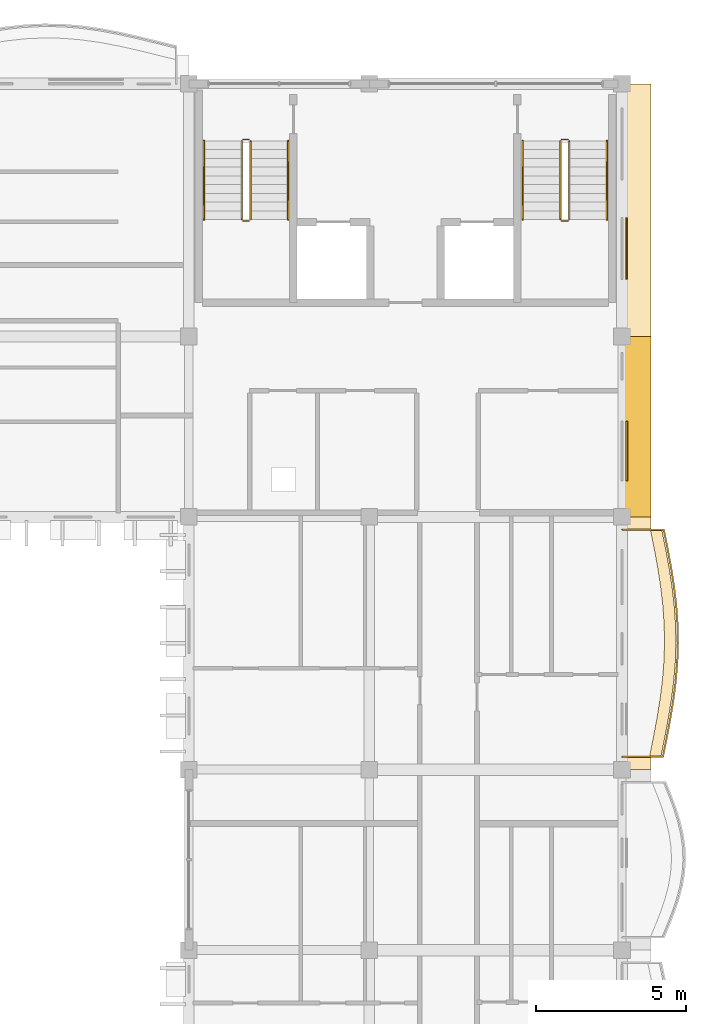
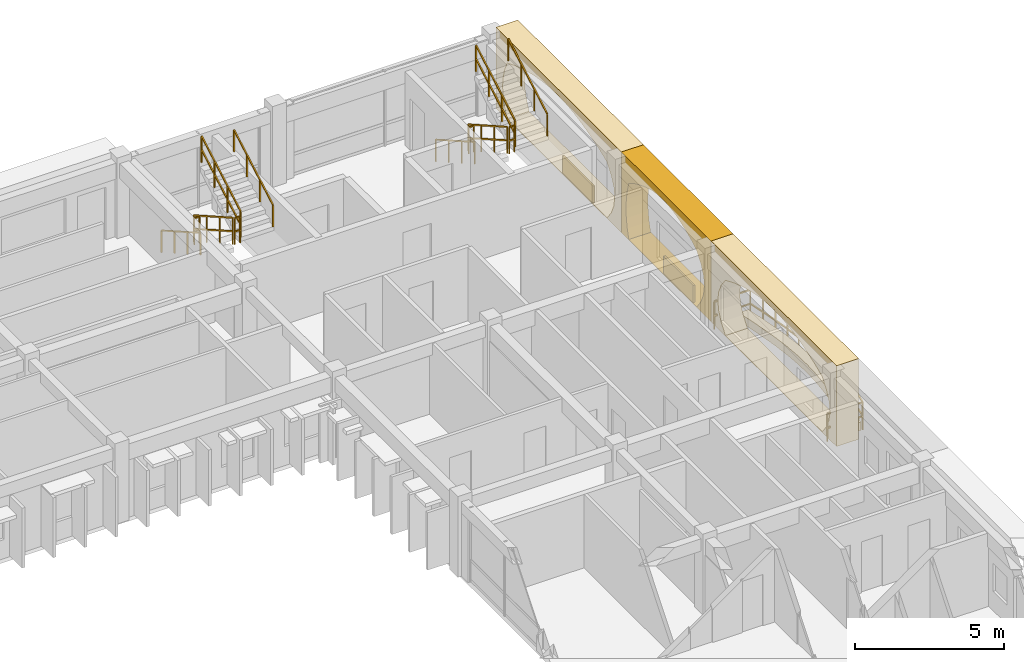
# One storey, part 54 of 54: 13 railings, 6 coverings.
"""IFC4 building model written with IfcOpenShell, lengths in metres."""

from ifc_helpers import new_model, si_unit, direction, frame, origin, origin_2d, place, context, subcontext, project, spatial, polyline, rectangle, outline, extrude, material, layer, layer_set, type_object, element, save


model = new_model("IFC4")

# Units and contexts
model_context = context("Model", 3, precision=1e-05, world=origin(), true_north=direction((0.0, 1.0)))
body_context = subcontext(model_context, "Body", "Model", "MODEL_VIEW")
ifc_project = project(units=[si_unit("LENGTHUNIT", "METRE"), si_unit("AREAUNIT", "SQUARE_METRE"), si_unit("VOLUMEUNIT", "CUBIC_METRE"), si_unit("PLANEANGLEUNIT", "RADIAN"), si_unit("MASSUNIT", "GRAM", prefix="KILO"), si_unit("THERMODYNAMICTEMPERATUREUNIT", "KELVIN")], contexts=[model_context])

# Site, building, storey
site_placement = place(None, origin())
site = spatial("IfcSite", under=ifc_project, at=site_placement, CompositionType="ELEMENT")
building_placement = place(site_placement, origin())
building = spatial("IfcBuilding", under=site, at=building_placement, Name="Thalorik Housing Commons", CompositionType="ELEMENT")
storey_placement = place(building_placement, frame((0.0, 0.0, 31.199951171875)))
storey = spatial("IfcBuildingStorey", under=building, at=storey_placement, Name="L09", CompositionType="ELEMENT", Elevation=31.199951171875)

# Coverings
ifc_material_1 = material(Name="Precast concrete C40/50", Category="concrete")
ifc_layer_1 = layer(ifc_material_1, 0.85009765625, Name="Precast concrete C40/50", Category="concrete")
ifc_layer_set_1 = layer_set([ifc_layer_1], Name="Precast concrete C40/50")
covering_type_1 = type_object("IfcCoveringType", Name="ARC-CLD-CUSH-850", PredefinedType="CLADDING", material=ifc_layer_set_1)
covering_1_placement = place(storey_placement, frame((167.342529296875, 112.199951171875, 0.0), z_axis=(0.0, 0.0, 1.0), x_axis=(0.0, 1.0, 0.0)))
element("IfcCovering", 1, at=covering_1_placement, inside=storey, type_object=covering_type_1, Name="L09 White Precast Curved Cushion Bay Frame 2888", PredefinedType="CLADDING", context=body_context, shape_type="SweptSolid", body=[
    extrude(outline(polyline([(-3.0, 0.0), (3.0, 0.0), (3.0, 3.300048828125), (-3.0, 3.300048828125), (-3.0, 0.0)]), holes=[polyline([(2.5048828125, 0.02490234375), (2.609619140625, 0.407470703125), (2.672119140625, 0.7900390625), (2.693115234375, 1.172607421875), (2.672119140625, 1.554931640625), (2.609619140625, 1.9375), (2.5048828125, 2.320068359375), (2.126220703125, 2.539306640625), (1.74755859375, 2.711181640625), (1.36865234375, 2.8505859375), (0.989990234375, 2.954345703125), (0.611083984375, 3.018310546875), (0.232421875, 3.0400390625), (-0.146240234375, 3.018310546875), (-0.52490234375, 2.954345703125), (-0.90380859375, 2.8505859375), (-1.282470703125, 2.711181640625), (-1.6611328125, 2.539306640625), (-2.0400390625, 2.320068359375), (-2.3232421875, 1.9375), (-2.493408203125, 1.554931640625), (-2.550048828125, 1.172607421875), (-2.493408203125, 0.7900390625), (-2.3232421875, 0.407470703125), (-2.0400390625, 0.02490234375), (2.5048828125, 0.02490234375)])]), frame((0.0, 0.425048828125, 0.0), z_axis=(0.0, -1.0, 0.0), x_axis=(1.0, 0.0, 0.0)), (0.0, 0.0, 1.0), 0.85009765625),
])
covering_2_placement = place(storey_placement, frame((167.342529296875, 119.39990234375, 0.0), z_axis=(0.0, 0.0, 1.0), x_axis=(0.0, 1.0, 0.0)))
element("IfcCovering", 2, at=covering_2_placement, inside=storey, type_object=covering_type_1, Name="L09 White Precast Curved Cushion Bay Frame 2890", PredefinedType="CLADDING", context=body_context, shape_type="SweptSolid", body=[
    extrude(outline(polyline([(-4.199951171875, 0.0), (4.199951171875, 0.0), (4.199951171875, 3.300048828125), (-4.199951171875, 3.300048828125), (-4.199951171875, 0.0)]), holes=[polyline([(3.44384765625, 0.02490234375), (3.614013671875, 0.404296875), (3.716064453125, 0.783203125), (3.75, 1.16259765625), (3.716064453125, 1.541748046875), (3.614013671875, 1.9208984375), (3.44384765625, 2.300048828125), (2.88671875, 2.525390625), (2.329833984375, 2.7021484375), (1.772705078125, 2.845458984375), (1.2158203125, 2.951904296875), (0.658935546875, 3.017822265625), (0.101806640625, 3.0400390625), (-0.455078125, 3.017822265625), (-1.01220703125, 2.951904296875), (-1.569091796875, 2.845458984375), (-2.1259765625, 2.7021484375), (-2.68310546875, 2.525390625), (-3.239990234375, 2.300048828125), (-3.523193359375, 1.9208984375), (-3.693359375, 1.541748046875), (-3.75, 1.16259765625), (-3.693359375, 0.783203125), (-3.523193359375, 0.404296875), (-3.239990234375, 0.02490234375), (3.44384765625, 0.02490234375)])]), frame((0.0, 0.425048828125, 0.0), z_axis=(0.0, -1.0, 0.0), x_axis=(1.0, 0.0, 0.0)), (0.0, 0.0, 1.0), 0.85009765625),
])
covering_3_placement = place(storey_placement, frame((167.342529296875, 105.0, 0.0), z_axis=(0.0, 0.0, 1.0), x_axis=(0.0, 1.0, 0.0)))
element("IfcCovering", 3, at=covering_3_placement, inside=storey, type_object=covering_type_1, Name="L09 White Precast Curved Cushion Bay Frame 3036", PredefinedType="CLADDING", context=body_context, shape_type="SweptSolid", body=[
    extrude(outline(polyline([(-4.199951171875, 0.0), (4.199951171875, 0.0), (4.199951171875, 3.300048828125), (-4.199951171875, 3.300048828125), (-4.199951171875, 0.0)]), holes=[polyline([(3.239990234375, 0.02490234375), (3.523193359375, 0.40087890625), (3.693359375, 0.776611328125), (3.75, 1.152587890625), (3.693359375, 1.5283203125), (3.523193359375, 1.904296875), (3.239990234375, 2.280029296875), (2.699951171875, 2.51123046875), (2.159912109375, 2.693115234375), (1.6201171875, 2.840087890625), (1.080078125, 2.94970703125), (0.5400390625, 3.01708984375), (0.0, 3.0400390625), (-0.5400390625, 3.01708984375), (-1.080078125, 2.94970703125), (-1.6201171875, 2.840087890625), (-2.159912109375, 2.693115234375), (-2.699951171875, 2.51123046875), (-3.239990234375, 2.280029296875), (-3.523193359375, 1.904296875), (-3.693359375, 1.5283203125), (-3.75, 1.152587890625), (-3.693359375, 0.776611328125), (-3.523193359375, 0.40087890625), (-3.239990234375, 0.02490234375), (3.239990234375, 0.02490234375)])]), frame((0.0, 0.425048828125, 0.0), z_axis=(0.0, -1.0, 0.0), x_axis=(1.0, 0.0, 0.0)), (0.0, 0.0, 1.0), 0.85009765625),
])
ifc_material_2 = material(Name="Terracotta red mineral fibre-cement panel", Category="masonry")
ifc_layer_2 = layer(ifc_material_2, 0.054931640625, Name="Terracotta red mineral fibre-cement panel", Category="masonry")
ifc_layer_set_2 = layer_set([ifc_layer_2], Name="Terracotta red mineral fibre-cement panel")
covering_type_2 = type_object("IfcCoveringType", Name="ARC-CLD-RED-55", PredefinedType="CLADDING", material=ifc_layer_set_2)
covering_4_placement = place(storey_placement, frame((166.949951171875, 118.13134765625, 0.05029296875), z_axis=(0.0, 0.0, 1.0), x_axis=(0.0, 1.0, 0.0)))
element("IfcCovering", 4, at=covering_4_placement, inside=storey, type_object=covering_type_2, Name="L09 De Stijl Recessed Window Spandrel 2891", PredefinedType="CLADDING", context=body_context, shape_type="SweptSolid", body=[
    extrude(rectangle(XDim=2.0400390625, YDim=0.054931640625, at=origin_2d()), origin(), (0.0, 0.0, 1.0), 0.699951171875),
])
ifc_material_3 = material(Name="Mineral ochre architectural terracotta panel", Category="masonry")
ifc_layer_3 = layer(ifc_material_3, 0.06494140625, Name="Mineral ochre architectural terracotta panel", Category="masonry")
ifc_layer_set_3 = layer_set([ifc_layer_3], Name="Mineral ochre architectural terracotta panel")
covering_type_3 = type_object("IfcCoveringType", Name="ARC-CLD-YEL-65", PredefinedType="CLADDING", material=ifc_layer_set_3)
covering_5_placement = place(storey_placement, frame((166.955078125, 111.39501953125, 0.05029296875), z_axis=(0.0, 0.0, 1.0), x_axis=(0.0, 1.0, 0.0)))
element("IfcCovering", 5, at=covering_5_placement, inside=storey, type_object=covering_type_3, Name="L09 De Stijl Recessed Window Spandrel 2889", PredefinedType="CLADDING", context=body_context, shape_type="SweptSolid", body=[
    extrude(rectangle(XDim=1.97998046875, YDim=0.06494140625, at=origin_2d()), origin(), (0.0, 0.0, 1.0), 0.699951171875),
])
ifc_material_4 = material(Name="Planted vegetated substrate and terracotta trough", Category="masonry")
ifc_layer_4 = layer(ifc_material_4, 0.340087890625, Name="Planted vegetated substrate and terracotta trough", Category="masonry")
ifc_layer_set_4 = layer_set([ifc_layer_4], Name="Planted vegetated substrate and terracotta trough")
covering_type_4 = type_object("IfcCoveringType", Name="ARC-COV-PLANTER", PredefinedType="USERDEFINED", material=ifc_layer_set_4)
covering_6_placement = place(storey_placement, origin())
element("IfcCovering", 6, at=covering_6_placement, inside=storey, type_object=covering_type_4, Name="L09 Balcony Slab-Edge Planted Trough 5539", ObjectType="PLANTER", PredefinedType="USERDEFINED", context=body_context, shape_type="SweptSolid", body=[
    extrude(outline(polyline([(168.0927734375, 101.219970703125), (168.218994140625, 101.85009765625), (168.337646484375, 102.47998046875), (168.440185546875, 103.110107421875), (168.520263671875, 103.739990234375), (168.572509765625, 104.3701171875), (168.593017578125, 105.0), (168.580810546875, 105.6298828125), (168.53662109375, 106.260009765625), (168.463134765625, 106.889892578125), (168.365234375, 107.52001953125), (168.24951171875, 108.14990234375), (168.123779296875, 108.780029296875), (167.74365234375, 108.780029296875), (167.86962890625, 108.14990234375), (167.9853515625, 107.52001953125), (168.0830078125, 106.889892578125), (168.156494140625, 106.260009765625), (168.20068359375, 105.6298828125), (168.212890625, 105.0), (168.1923828125, 104.3701171875), (168.140380859375, 103.739990234375), (168.060302734375, 103.110107421875), (167.95751953125, 102.47998046875), (167.839111328125, 101.85009765625), (167.712890625, 101.219970703125), (168.0927734375, 101.219970703125)])), origin(), (0.0, 0.0, 1.0), 0.340087890625),
])

# Railings
ifc_material_5 = material(Name="Steel S355", Category="steel")
railing_type_1 = type_object("IfcRailingType", Name="ARC-RL-BAL-115", PredefinedType="BALUSTRADE", material=ifc_material_5)
railing_1_placement = place(storey_placement, frame((166.800048828125, 101.219970703125, 0.0)))
element("IfcRailing", 7, at=railing_1_placement, inside=storey, type_object=railing_type_1, Name="L09 Cushion Balcony Guardrail 223", PredefinedType="BALUSTRADE", context=body_context, shape_type="SweptSolid", body=[
    extrude(rectangle(XDim=0.050048828125, YDim=0.050048828125, at=origin_2d()), frame((0.0, 0.0, 1.125), z_axis=(1.0, 0.0, 0.0), x_axis=(0.0, 1.0, 0.0)), (0.0, 0.0, 1.0), 1.36279296875),
    extrude(rectangle(XDim=0.050048828125, YDim=0.050048828125, at=origin_2d()), frame((0.0, 0.0, 0.5498046875), z_axis=(1.0, 0.0, 0.0), x_axis=(0.0, 1.0, 0.0)), (0.0, 0.0, 1.0), 1.36279296875),
    extrude(rectangle(XDim=0.050048828125, YDim=0.050048828125, at=origin_2d()), frame((1.36279296875, 0.0, 1.125), z_axis=(0.196408357284, 0.980522185975, 0.0), x_axis=(-0.980522185975, 0.196408357284, 0.0)), (0.0, 0.0, 1.0), 0.642578125),
    extrude(rectangle(XDim=0.050048828125, YDim=0.050048828125, at=origin_2d()), frame((1.36279296875, 0.0, 0.5498046875), z_axis=(0.196408357284, 0.980522185975, 0.0), x_axis=(-0.980522185975, 0.196408357284, 0.0)), (0.0, 0.0, 1.0), 0.642578125),
    extrude(rectangle(XDim=0.050048828125, YDim=0.050048828125, at=origin_2d()), frame((1.489013671875, 0.630126953125, 1.125), z_axis=(0.185116383615, 0.982716604376, 0.0), x_axis=(-0.982716604376, 0.185116383615, 0.0)), (0.0, 0.0, 1.0), 0.640869140625),
    extrude(rectangle(XDim=0.050048828125, YDim=0.050048828125, at=origin_2d()), frame((1.489013671875, 0.630126953125, 0.5498046875), z_axis=(0.185116383615, 0.982716604376, 0.0), x_axis=(-0.982716604376, 0.185116383615, 0.0)), (0.0, 0.0, 1.0), 0.640869140625),
    extrude(rectangle(XDim=0.050048828125, YDim=0.050048828125, at=origin_2d()), frame((1.607666015625, 1.260009765625, 1.125), z_axis=(0.160614955106, 0.987017140781, 0.0), x_axis=(-0.987017140781, 0.160614955106, 0.0)), (0.0, 0.0, 1.0), 0.638427734375),
    extrude(rectangle(XDim=0.050048828125, YDim=0.050048828125, at=origin_2d()), frame((1.607666015625, 1.260009765625, 0.5498046875), z_axis=(0.160614955106, 0.987017140781, 0.0), x_axis=(-0.987017140781, 0.160614955106, 0.0)), (0.0, 0.0, 1.0), 0.638427734375),
    extrude(rectangle(XDim=0.050048828125, YDim=0.050048828125, at=origin_2d()), frame((1.710205078125, 1.89013671875, 1.125), z_axis=(0.126116688249, 0.992015413663, 0.0), x_axis=(-0.992015413663, 0.126116688249, 0.0)), (0.0, 0.0, 1.0), 0.635009765625),
    extrude(rectangle(XDim=0.050048828125, YDim=0.050048828125, at=origin_2d()), frame((1.710205078125, 1.89013671875, 0.5498046875), z_axis=(0.126116688249, 0.992015413663, 0.0), x_axis=(-0.992015413663, 0.126116688249, 0.0)), (0.0, 0.0, 1.0), 0.635009765625),
    extrude(rectangle(XDim=0.050048828125, YDim=0.050048828125, at=origin_2d()), frame((1.790283203125, 2.52001953125, 1.125), z_axis=(0.08224655511, 0.996612012858, 0.0), x_axis=(-0.996612012858, 0.08224655511, 0.0)), (0.0, 0.0, 1.0), 0.63232421875),
    extrude(rectangle(XDim=0.050048828125, YDim=0.050048828125, at=origin_2d()), frame((1.790283203125, 2.52001953125, 0.5498046875), z_axis=(0.08224655511, 0.996612012858, 0.0), x_axis=(-0.996612012858, 0.08224655511, 0.0)), (0.0, 0.0, 1.0), 0.63232421875),
    extrude(rectangle(XDim=0.050048828125, YDim=0.050048828125, at=origin_2d()), frame((1.84228515625, 3.150146484375, 1.125), z_axis=(0.03292787097, 0.999457730629, 0.0), x_axis=(-0.999457730629, 0.03292787097, 0.0)), (0.0, 0.0, 1.0), 0.630126953125),
    extrude(rectangle(XDim=0.050048828125, YDim=0.050048828125, at=origin_2d()), frame((1.84228515625, 3.150146484375, 0.5498046875), z_axis=(0.03292787097, 0.999457730629, 0.0), x_axis=(-0.999457730629, 0.03292787097, 0.0)), (0.0, 0.0, 1.0), 0.630126953125),
    extrude(rectangle(XDim=0.050048828125, YDim=0.050048828125, at=origin_2d()), frame((1.863037109375, 3.780029296875, 1.125), z_axis=(-0.019376206661, 0.999812263685, 0.0), x_axis=(-0.999812263685, -0.019376206661, 0.0)), (0.0, 0.0, 1.0), 0.6298828125),
    extrude(rectangle(XDim=0.050048828125, YDim=0.050048828125, at=origin_2d()), frame((1.863037109375, 3.780029296875, 0.5498046875), z_axis=(-0.019376206661, 0.999812263685, 0.0), x_axis=(-0.999812263685, -0.019376206661, 0.0)), (0.0, 0.0, 1.0), 0.6298828125),
    extrude(rectangle(XDim=0.050048828125, YDim=0.050048828125, at=origin_2d()), frame((1.850830078125, 4.409912109375, 1.125), z_axis=(-0.070340639818, 0.997523029504, 0.0), x_axis=(-0.997523029504, -0.070340639818, 0.0)), (0.0, 0.0, 1.0), 0.631591796875),
    extrude(rectangle(XDim=0.050048828125, YDim=0.050048828125, at=origin_2d()), frame((1.850830078125, 4.409912109375, 0.5498046875), z_axis=(-0.070340639818, 0.997523029504, 0.0), x_axis=(-0.997523029504, -0.070340639818, 0.0)), (0.0, 0.0, 1.0), 0.631591796875),
    extrude(rectangle(XDim=0.050048828125, YDim=0.050048828125, at=origin_2d()), frame((1.806396484375, 5.0400390625, 1.125), z_axis=(-0.115500858175, 0.993307380301, 0.0), x_axis=(-0.993307380301, -0.115500858175, 0.0)), (0.0, 0.0, 1.0), 0.634033203125),
    extrude(rectangle(XDim=0.050048828125, YDim=0.050048828125, at=origin_2d()), frame((1.806396484375, 5.0400390625, 0.5498046875), z_axis=(-0.115500858175, 0.993307380301, 0.0), x_axis=(-0.993307380301, -0.115500858175, 0.0)), (0.0, 0.0, 1.0), 0.634033203125),
    extrude(rectangle(XDim=0.050048828125, YDim=0.050048828125, at=origin_2d()), frame((1.733154296875, 5.669921875, 1.125), z_axis=(-0.153524252947, 0.988144879943, 0.0), x_axis=(-0.988144879943, -0.153524252947, 0.0)), (0.0, 0.0, 1.0), 0.6376953125),
    extrude(rectangle(XDim=0.050048828125, YDim=0.050048828125, at=origin_2d()), frame((1.733154296875, 5.669921875, 0.5498046875), z_axis=(-0.153524252947, 0.988144879943, 0.0), x_axis=(-0.988144879943, -0.153524252947, 0.0)), (0.0, 0.0, 1.0), 0.6376953125),
    extrude(rectangle(XDim=0.050048828125, YDim=0.050048828125, at=origin_2d()), frame((1.63525390625, 6.300048828125, 1.125), z_axis=(-0.180696676337, 0.9835388712, 0.0), x_axis=(-0.9835388712, -0.180696676337, 0.0)), (0.0, 0.0, 1.0), 0.640380859375),
    extrude(rectangle(XDim=0.050048828125, YDim=0.050048828125, at=origin_2d()), frame((1.63525390625, 6.300048828125, 0.5498046875), z_axis=(-0.180696676337, 0.9835388712, 0.0), x_axis=(-0.9835388712, -0.180696676337, 0.0)), (0.0, 0.0, 1.0), 0.640380859375),
    extrude(rectangle(XDim=0.050048828125, YDim=0.050048828125, at=origin_2d()), frame((1.51953125, 6.929931640625, 1.125), z_axis=(-0.196043071434, 0.980595285601, 0.0), x_axis=(-0.980595285601, -0.196043071434, 0.0)), (0.0, 0.0, 1.0), 0.642578125),
    extrude(rectangle(XDim=0.050048828125, YDim=0.050048828125, at=origin_2d()), frame((1.51953125, 6.929931640625, 0.5498046875), z_axis=(-0.196043071434, 0.980595285601, 0.0), x_axis=(-0.980595285601, -0.196043071434, 0.0)), (0.0, 0.0, 1.0), 0.642578125),
    extrude(rectangle(XDim=0.050048828125, YDim=0.050048828125, at=origin_2d()), frame((1.3935546875, 7.56005859375, 1.125), z_axis=(-1.0, 0.0, 0.0), x_axis=(0.0, -1.0, 0.0)), (0.0, 0.0, 1.0), 1.3935546875),
    extrude(rectangle(XDim=0.050048828125, YDim=0.050048828125, at=origin_2d()), frame((1.3935546875, 7.56005859375, 0.5498046875), z_axis=(-1.0, 0.0, 0.0), x_axis=(0.0, -1.0, 0.0)), (0.0, 0.0, 1.0), 1.3935546875),
    extrude(rectangle(XDim=0.0419921875, YDim=0.0419921875, at=origin_2d()), origin(), (0.0, 0.0, 1.0), 1.099853515625),
    extrude(rectangle(XDim=0.0419921875, YDim=0.0419921875, at=origin_2d()), frame((1.36279296875, 0.0, 0.0)), (0.0, 0.0, 1.0), 1.099853515625),
    extrude(rectangle(XDim=0.0419921875, YDim=0.0419921875, at=origin_2d()), frame((1.489013671875, 0.630126953125, 0.0)), (0.0, 0.0, 1.0), 1.099853515625),
    extrude(rectangle(XDim=0.0419921875, YDim=0.0419921875, at=origin_2d()), frame((1.607666015625, 1.260009765625, 0.0)), (0.0, 0.0, 1.0), 1.099853515625),
    extrude(rectangle(XDim=0.0419921875, YDim=0.0419921875, at=origin_2d()), frame((1.710205078125, 1.89013671875, 0.0)), (0.0, 0.0, 1.0), 1.099853515625),
    extrude(rectangle(XDim=0.0419921875, YDim=0.0419921875, at=origin_2d()), frame((1.790283203125, 2.52001953125, 0.0)), (0.0, 0.0, 1.0), 1.099853515625),
    extrude(rectangle(XDim=0.0419921875, YDim=0.0419921875, at=origin_2d()), frame((1.84228515625, 3.150146484375, 0.0)), (0.0, 0.0, 1.0), 1.099853515625),
    extrude(rectangle(XDim=0.0419921875, YDim=0.0419921875, at=origin_2d()), frame((1.863037109375, 3.780029296875, 0.0)), (0.0, 0.0, 1.0), 1.099853515625),
    extrude(rectangle(XDim=0.0419921875, YDim=0.0419921875, at=origin_2d()), frame((1.850830078125, 4.409912109375, 0.0)), (0.0, 0.0, 1.0), 1.099853515625),
    extrude(rectangle(XDim=0.0419921875, YDim=0.0419921875, at=origin_2d()), frame((1.806396484375, 5.0400390625, 0.0)), (0.0, 0.0, 1.0), 1.099853515625),
    extrude(rectangle(XDim=0.0419921875, YDim=0.0419921875, at=origin_2d()), frame((1.733154296875, 5.669921875, 0.0)), (0.0, 0.0, 1.0), 1.099853515625),
    extrude(rectangle(XDim=0.0419921875, YDim=0.0419921875, at=origin_2d()), frame((1.63525390625, 6.300048828125, 0.0)), (0.0, 0.0, 1.0), 1.099853515625),
    extrude(rectangle(XDim=0.0419921875, YDim=0.0419921875, at=origin_2d()), frame((1.51953125, 6.929931640625, 0.0)), (0.0, 0.0, 1.0), 1.099853515625),
    extrude(rectangle(XDim=0.0419921875, YDim=0.0419921875, at=origin_2d()), frame((1.3935546875, 7.56005859375, 0.0)), (0.0, 0.0, 1.0), 1.099853515625),
    extrude(rectangle(XDim=0.0419921875, YDim=0.0419921875, at=origin_2d()), frame((0.0, 7.56005859375, 0.0)), (0.0, 0.0, 1.0), 1.099853515625),
])
railing_type_2 = type_object("IfcRailingType", Name="ARC-RL-STR-GRD110", PredefinedType="GUARDRAIL", material=ifc_material_5)
railing_2_placement = place(storey_placement, frame((154.14990234375, 121.699951171875, 0.1650390625)))
element("IfcRailing", 8, at=railing_2_placement, inside=storey, type_object=railing_type_2, Name="L09 ST-B1 stair guard 1", PredefinedType="GUARDRAIL", context=body_context, shape_type="SweptSolid", body=[
    extrude(rectangle(XDim=0.048095703125, YDim=0.048095703125, at=origin_2d()), frame((0.0, 0.0, 1.076171875), z_axis=(0.0, -0.869137319866, 0.494570843475), x_axis=(1.0, 0.0, 0.0)), (0.0, 0.0, 1.0), 3.0029296875),
    extrude(rectangle(XDim=0.048095703125, YDim=0.048095703125, at=origin_2d()), frame((0.0, 0.0, 0.52587890625), z_axis=(0.0, -0.869137319866, 0.494570843475), x_axis=(1.0, 0.0, 0.0)), (0.0, 0.0, 1.0), 3.0029296875),
    extrude(rectangle(XDim=0.0419921875, YDim=0.0419921875, at=origin_2d()), origin(), (0.0, 0.0, 1.0), 1.052001953125),
    extrude(rectangle(XDim=0.0419921875, YDim=0.0419921875, at=origin_2d()), frame((0.0, -0.869873046875, 0.4951171875)), (0.0, 0.0, 1.0), 1.052001953125),
    extrude(rectangle(XDim=0.0419921875, YDim=0.0419921875, at=origin_2d()), frame((0.0, -1.739990234375, 0.989990234375)), (0.0, 0.0, 1.0), 1.052001953125),
    extrude(rectangle(XDim=0.0419921875, YDim=0.0419921875, at=origin_2d()), frame((0.0, -2.60986328125, 1.485107421875)), (0.0, 0.0, 1.0), 1.052001953125),
])
railing_3_placement = place(storey_placement, frame((154.199951171875, 119.0400390625, 1.650146484375)))
element("IfcRailing", 9, at=railing_3_placement, inside=storey, type_object=railing_type_2, Name="L09 ST-B1 stair guard 2", PredefinedType="GUARDRAIL", context=body_context, shape_type="SweptSolid", body=[
    extrude(rectangle(XDim=0.048095703125, YDim=0.048095703125, at=origin_2d()), frame((0.0, 0.0, 1.076171875), z_axis=(1.0, 0.0, 0.0), x_axis=(0.0, 1.0, 0.0)), (0.0, 0.0, 1.0), 0.199951171875),
    extrude(rectangle(XDim=0.048095703125, YDim=0.048095703125, at=origin_2d()), frame((0.0, 0.0, 0.52587890625), z_axis=(1.0, 0.0, 0.0), x_axis=(0.0, 1.0, 0.0)), (0.0, 0.0, 1.0), 0.199951171875),
    extrude(rectangle(XDim=0.0419921875, YDim=0.0419921875, at=origin_2d()), origin(), (0.0, 0.0, 1.0), 1.052001953125),
    extrude(rectangle(XDim=0.0419921875, YDim=0.0419921875, at=origin_2d()), frame((0.199951171875, 0.0, 0.0)), (0.0, 0.0, 1.0), 1.052001953125),
])
railing_4_placement = place(storey_placement, frame((154.449951171875, 119.090087890625, 1.81494140625)))
element("IfcRailing", 10, at=railing_4_placement, inside=storey, type_object=railing_type_2, Name="L09 ST-B1 stair guard 3", PredefinedType="GUARDRAIL", context=body_context, shape_type="SweptSolid", body=[
    extrude(rectangle(XDim=0.048095703125, YDim=0.048095703125, at=origin_2d()), frame((0.0, 0.0, 1.076171875), z_axis=(0.0, 0.869137319866, 0.494570843475), x_axis=(-1.0, 0.0, 0.0)), (0.0, 0.0, 1.0), 3.0029296875),
    extrude(rectangle(XDim=0.048095703125, YDim=0.048095703125, at=origin_2d()), frame((0.0, 0.0, 0.52587890625), z_axis=(0.0, 0.869137319866, 0.494570843475), x_axis=(-1.0, 0.0, 0.0)), (0.0, 0.0, 1.0), 3.0029296875),
    extrude(rectangle(XDim=0.0419921875, YDim=0.0419921875, at=origin_2d()), origin(), (0.0, 0.0, 1.0), 1.052001953125),
    extrude(rectangle(XDim=0.0419921875, YDim=0.0419921875, at=origin_2d()), frame((0.0, 0.869873046875, 0.4951171875)), (0.0, 0.0, 1.0), 1.052001953125),
    extrude(rectangle(XDim=0.0419921875, YDim=0.0419921875, at=origin_2d()), frame((0.0, 1.739990234375, 0.989990234375)), (0.0, 0.0, 1.0), 1.052001953125),
    extrude(rectangle(XDim=0.0419921875, YDim=0.0419921875, at=origin_2d()), frame((0.0, 2.60986328125, 1.485107421875)), (0.0, 0.0, 1.0), 1.052001953125),
])
railing_5_placement = place(storey_placement, frame((154.199951171875, 121.75, 0.0)))
element("IfcRailing", 11, at=railing_5_placement, inside=storey, type_object=railing_type_2, Name="L09 ST-B1 stair guard 4", PredefinedType="GUARDRAIL", context=body_context, shape_type="SweptSolid", body=[
    extrude(rectangle(XDim=0.048095703125, YDim=0.048095703125, at=origin_2d()), frame((0.0, 0.0, 1.076171875), z_axis=(1.0, 0.0, 0.0), x_axis=(0.0, 1.0, 0.0)), (0.0, 0.0, 1.0), 0.199951171875),
    extrude(rectangle(XDim=0.048095703125, YDim=0.048095703125, at=origin_2d()), frame((0.0, 0.0, 0.52587890625), z_axis=(1.0, 0.0, 0.0), x_axis=(0.0, 1.0, 0.0)), (0.0, 0.0, 1.0), 0.199951171875),
    extrude(rectangle(XDim=0.0419921875, YDim=0.0419921875, at=origin_2d()), origin(), (0.0, 0.0, 1.0), 1.052001953125),
    extrude(rectangle(XDim=0.0419921875, YDim=0.0419921875, at=origin_2d()), frame((0.199951171875, 0.0, 0.0)), (0.0, 0.0, 1.0), 1.052001953125),
])
railing_6_placement = place(storey_placement, frame((164.75, 121.699951171875, 0.1650390625)))
element("IfcRailing", 12, at=railing_6_placement, inside=storey, type_object=railing_type_2, Name="L09 ST-B2 stair guard 1", PredefinedType="GUARDRAIL", context=body_context, shape_type="SweptSolid", body=[
    extrude(rectangle(XDim=0.048095703125, YDim=0.048095703125, at=origin_2d()), frame((0.0, 0.0, 1.076171875), z_axis=(0.0, -0.869137319866, 0.494570843475), x_axis=(1.0, 0.0, 0.0)), (0.0, 0.0, 1.0), 3.0029296875),
    extrude(rectangle(XDim=0.048095703125, YDim=0.048095703125, at=origin_2d()), frame((0.0, 0.0, 0.52587890625), z_axis=(0.0, -0.869137319866, 0.494570843475), x_axis=(1.0, 0.0, 0.0)), (0.0, 0.0, 1.0), 3.0029296875),
    extrude(rectangle(XDim=0.0419921875, YDim=0.0419921875, at=origin_2d()), origin(), (0.0, 0.0, 1.0), 1.052001953125),
    extrude(rectangle(XDim=0.0419921875, YDim=0.0419921875, at=origin_2d()), frame((0.0, -0.869873046875, 0.4951171875)), (0.0, 0.0, 1.0), 1.052001953125),
    extrude(rectangle(XDim=0.0419921875, YDim=0.0419921875, at=origin_2d()), frame((0.0, -1.739990234375, 0.989990234375)), (0.0, 0.0, 1.0), 1.052001953125),
    extrude(rectangle(XDim=0.0419921875, YDim=0.0419921875, at=origin_2d()), frame((0.0, -2.60986328125, 1.485107421875)), (0.0, 0.0, 1.0), 1.052001953125),
])
railing_7_placement = place(storey_placement, frame((164.800048828125, 119.0400390625, 1.650146484375)))
element("IfcRailing", 13, at=railing_7_placement, inside=storey, type_object=railing_type_2, Name="L09 ST-B2 stair guard 2", PredefinedType="GUARDRAIL", context=body_context, shape_type="SweptSolid", body=[
    extrude(rectangle(XDim=0.048095703125, YDim=0.048095703125, at=origin_2d()), frame((0.0, 0.0, 1.076171875), z_axis=(1.0, 0.0, 0.0), x_axis=(0.0, 1.0, 0.0)), (0.0, 0.0, 1.0), 0.199951171875),
    extrude(rectangle(XDim=0.048095703125, YDim=0.048095703125, at=origin_2d()), frame((0.0, 0.0, 0.52587890625), z_axis=(1.0, 0.0, 0.0), x_axis=(0.0, 1.0, 0.0)), (0.0, 0.0, 1.0), 0.199951171875),
    extrude(rectangle(XDim=0.0419921875, YDim=0.0419921875, at=origin_2d()), origin(), (0.0, 0.0, 1.0), 1.052001953125),
    extrude(rectangle(XDim=0.0419921875, YDim=0.0419921875, at=origin_2d()), frame((0.199951171875, 0.0, 0.0)), (0.0, 0.0, 1.0), 1.052001953125),
])
railing_8_placement = place(storey_placement, frame((165.050048828125, 119.090087890625, 1.81494140625)))
element("IfcRailing", 14, at=railing_8_placement, inside=storey, type_object=railing_type_2, Name="L09 ST-B2 stair guard 3", PredefinedType="GUARDRAIL", context=body_context, shape_type="SweptSolid", body=[
    extrude(rectangle(XDim=0.048095703125, YDim=0.048095703125, at=origin_2d()), frame((0.0, 0.0, 1.076171875), z_axis=(0.0, 0.869137319866, 0.494570843475), x_axis=(-1.0, 0.0, 0.0)), (0.0, 0.0, 1.0), 3.0029296875),
    extrude(rectangle(XDim=0.048095703125, YDim=0.048095703125, at=origin_2d()), frame((0.0, 0.0, 0.52587890625), z_axis=(0.0, 0.869137319866, 0.494570843475), x_axis=(-1.0, 0.0, 0.0)), (0.0, 0.0, 1.0), 3.0029296875),
    extrude(rectangle(XDim=0.0419921875, YDim=0.0419921875, at=origin_2d()), origin(), (0.0, 0.0, 1.0), 1.052001953125),
    extrude(rectangle(XDim=0.0419921875, YDim=0.0419921875, at=origin_2d()), frame((0.0, 0.869873046875, 0.4951171875)), (0.0, 0.0, 1.0), 1.052001953125),
    extrude(rectangle(XDim=0.0419921875, YDim=0.0419921875, at=origin_2d()), frame((0.0, 1.739990234375, 0.989990234375)), (0.0, 0.0, 1.0), 1.052001953125),
    extrude(rectangle(XDim=0.0419921875, YDim=0.0419921875, at=origin_2d()), frame((0.0, 2.60986328125, 1.485107421875)), (0.0, 0.0, 1.0), 1.052001953125),
])
railing_9_placement = place(storey_placement, frame((164.800048828125, 121.75, 0.0)))
element("IfcRailing", 15, at=railing_9_placement, inside=storey, type_object=railing_type_2, Name="L09 ST-B2 stair guard 4", PredefinedType="GUARDRAIL", context=body_context, shape_type="SweptSolid", body=[
    extrude(rectangle(XDim=0.048095703125, YDim=0.048095703125, at=origin_2d()), frame((0.0, 0.0, 1.076171875), z_axis=(1.0, 0.0, 0.0), x_axis=(0.0, 1.0, 0.0)), (0.0, 0.0, 1.0), 0.199951171875),
    extrude(rectangle(XDim=0.048095703125, YDim=0.048095703125, at=origin_2d()), frame((0.0, 0.0, 0.52587890625), z_axis=(1.0, 0.0, 0.0), x_axis=(0.0, 1.0, 0.0)), (0.0, 0.0, 1.0), 0.199951171875),
    extrude(rectangle(XDim=0.0419921875, YDim=0.0419921875, at=origin_2d()), origin(), (0.0, 0.0, 1.0), 1.052001953125),
    extrude(rectangle(XDim=0.0419921875, YDim=0.0419921875, at=origin_2d()), frame((0.199951171875, 0.0, 0.0)), (0.0, 0.0, 1.0), 1.052001953125),
])
railing_type_3 = type_object("IfcRailingType", Name="ARC-RL-STR-HR092", PredefinedType="HANDRAIL", material=ifc_material_5)
railing_10_placement = place(storey_placement, frame((152.89990234375, 121.699951171875, 0.1650390625)))
element("IfcRailing", 16, at=railing_10_placement, inside=storey, type_object=railing_type_3, Name="L09 ST-B1 stair handrail 1", PredefinedType="HANDRAIL", context=body_context, shape_type="SweptSolid", body=[
    extrude(rectangle(XDim=0.048095703125, YDim=0.048095703125, at=origin_2d()), frame((0.0, 0.0, 0.89599609375), z_axis=(0.0, -0.869137319866, 0.494570843475), x_axis=(1.0, 0.0, 0.0)), (0.0, 0.0, 1.0), 3.0029296875),
    extrude(rectangle(XDim=0.0419921875, YDim=0.0419921875, at=origin_2d()), origin(), (0.0, 0.0, 1.0), 0.871826171875),
    extrude(rectangle(XDim=0.0419921875, YDim=0.0419921875, at=origin_2d()), frame((0.0, -0.869873046875, 0.4951171875)), (0.0, 0.0, 1.0), 0.871826171875),
    extrude(rectangle(XDim=0.0419921875, YDim=0.0419921875, at=origin_2d()), frame((0.0, -1.739990234375, 0.989990234375)), (0.0, 0.0, 1.0), 0.871826171875),
    extrude(rectangle(XDim=0.0419921875, YDim=0.0419921875, at=origin_2d()), frame((0.0, -2.60986328125, 1.485107421875)), (0.0, 0.0, 1.0), 0.871826171875),
])
railing_11_placement = place(storey_placement, frame((155.699951171875, 119.090087890625, 1.81494140625)))
element("IfcRailing", 17, at=railing_11_placement, inside=storey, type_object=railing_type_3, Name="L09 ST-B1 stair handrail 2", PredefinedType="HANDRAIL", context=body_context, shape_type="SweptSolid", body=[
    extrude(rectangle(XDim=0.048095703125, YDim=0.048095703125, at=origin_2d()), frame((0.0, 0.0, 0.89599609375), z_axis=(0.0, 0.869137319866, 0.494570843475), x_axis=(-1.0, 0.0, 0.0)), (0.0, 0.0, 1.0), 3.0029296875),
    extrude(rectangle(XDim=0.0419921875, YDim=0.0419921875, at=origin_2d()), origin(), (0.0, 0.0, 1.0), 0.871826171875),
    extrude(rectangle(XDim=0.0419921875, YDim=0.0419921875, at=origin_2d()), frame((0.0, 0.869873046875, 0.4951171875)), (0.0, 0.0, 1.0), 0.871826171875),
    extrude(rectangle(XDim=0.0419921875, YDim=0.0419921875, at=origin_2d()), frame((0.0, 1.739990234375, 0.989990234375)), (0.0, 0.0, 1.0), 0.871826171875),
    extrude(rectangle(XDim=0.0419921875, YDim=0.0419921875, at=origin_2d()), frame((0.0, 2.60986328125, 1.485107421875)), (0.0, 0.0, 1.0), 0.871826171875),
])
railing_12_placement = place(storey_placement, frame((163.5, 121.699951171875, 0.1650390625)))
element("IfcRailing", 18, at=railing_12_placement, inside=storey, type_object=railing_type_3, Name="L09 ST-B2 stair handrail 1", PredefinedType="HANDRAIL", context=body_context, shape_type="SweptSolid", body=[
    extrude(rectangle(XDim=0.048095703125, YDim=0.048095703125, at=origin_2d()), frame((0.0, 0.0, 0.89599609375), z_axis=(0.0, -0.869137319866, 0.494570843475), x_axis=(1.0, 0.0, 0.0)), (0.0, 0.0, 1.0), 3.0029296875),
    extrude(rectangle(XDim=0.0419921875, YDim=0.0419921875, at=origin_2d()), origin(), (0.0, 0.0, 1.0), 0.871826171875),
    extrude(rectangle(XDim=0.0419921875, YDim=0.0419921875, at=origin_2d()), frame((0.0, -0.869873046875, 0.4951171875)), (0.0, 0.0, 1.0), 0.871826171875),
    extrude(rectangle(XDim=0.0419921875, YDim=0.0419921875, at=origin_2d()), frame((0.0, -1.739990234375, 0.989990234375)), (0.0, 0.0, 1.0), 0.871826171875),
    extrude(rectangle(XDim=0.0419921875, YDim=0.0419921875, at=origin_2d()), frame((0.0, -2.60986328125, 1.485107421875)), (0.0, 0.0, 1.0), 0.871826171875),
])
railing_13_placement = place(storey_placement, frame((166.300048828125, 119.090087890625, 1.81494140625)))
element("IfcRailing", 19, at=railing_13_placement, inside=storey, type_object=railing_type_3, Name="L09 ST-B2 stair handrail 2", PredefinedType="HANDRAIL", context=body_context, shape_type="SweptSolid", body=[
    extrude(rectangle(XDim=0.048095703125, YDim=0.048095703125, at=origin_2d()), frame((0.0, 0.0, 0.89599609375), z_axis=(0.0, 0.869137319866, 0.494570843475), x_axis=(-1.0, 0.0, 0.0)), (0.0, 0.0, 1.0), 3.0029296875),
    extrude(rectangle(XDim=0.0419921875, YDim=0.0419921875, at=origin_2d()), origin(), (0.0, 0.0, 1.0), 0.871826171875),
    extrude(rectangle(XDim=0.0419921875, YDim=0.0419921875, at=origin_2d()), frame((0.0, 0.869873046875, 0.4951171875)), (0.0, 0.0, 1.0), 0.871826171875),
    extrude(rectangle(XDim=0.0419921875, YDim=0.0419921875, at=origin_2d()), frame((0.0, 1.739990234375, 0.989990234375)), (0.0, 0.0, 1.0), 0.871826171875),
    extrude(rectangle(XDim=0.0419921875, YDim=0.0419921875, at=origin_2d()), frame((0.0, 2.60986328125, 1.485107421875)), (0.0, 0.0, 1.0), 0.871826171875),
])

save(model, "model.ifc")
